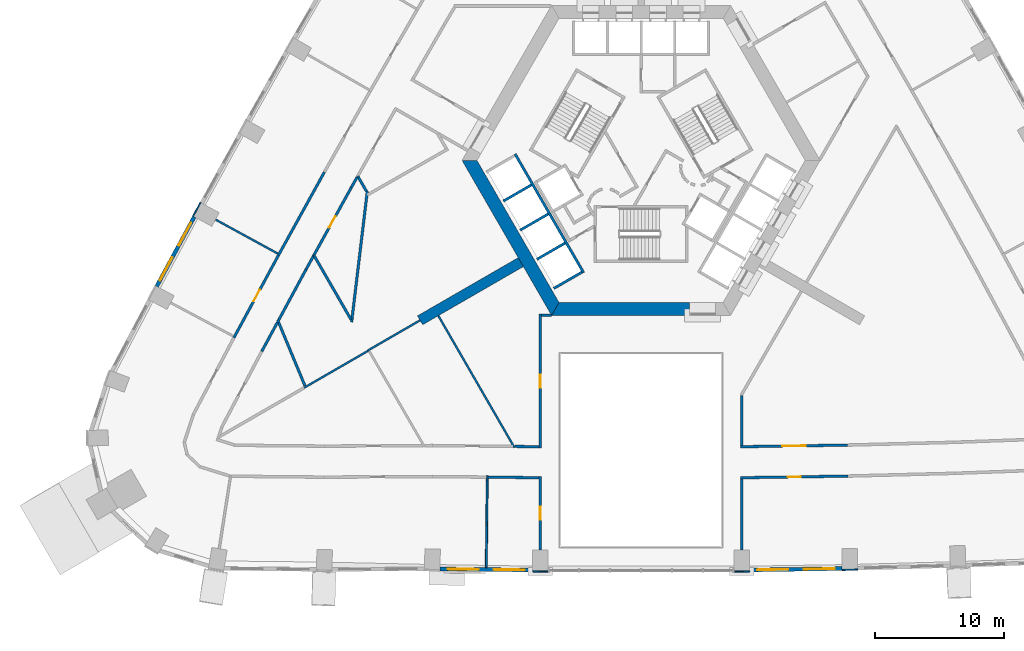
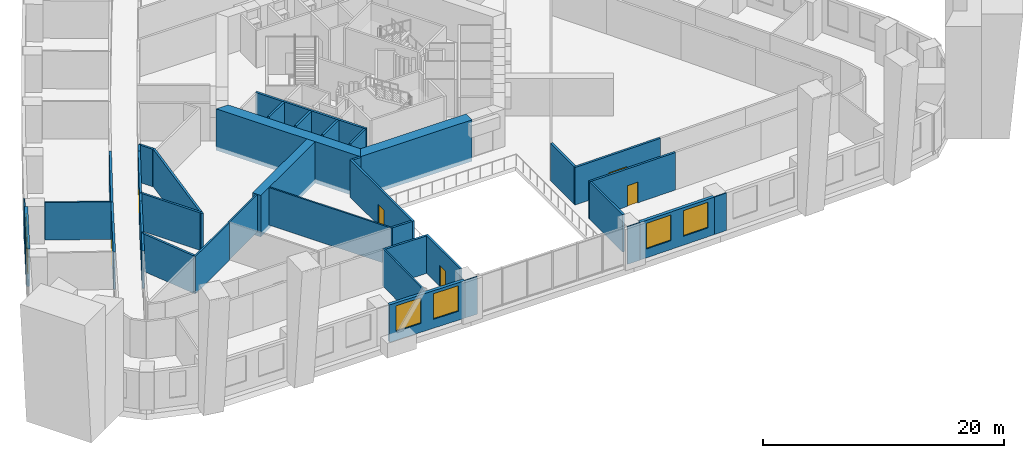
# One storey, part 5 of 16: 40 walls, 6 doors, 6 windows, 12 openings.
"""IFC4 building model written with IfcOpenShell, lengths in metres."""

from ifc_helpers import new_model, si_unit, direction, frame, frame_2d, origin, place, context, subcontext, project, spatial, polyline, rectangle, outline, extrude, material, layer, layer_set, type_object, element, fill, save


model = new_model("IFC4")

# Units and contexts
model_context = context("Model", 3, precision=1e-05, world=origin(), true_north=direction((0.0, 1.0)))
body_context = subcontext(model_context, "Body", "Model", "MODEL_VIEW")
ifc_project = project(units=[si_unit("LENGTHUNIT", "METRE"), si_unit("AREAUNIT", "SQUARE_METRE"), si_unit("VOLUMEUNIT", "CUBIC_METRE"), si_unit("PLANEANGLEUNIT", "RADIAN"), si_unit("MASSUNIT", "GRAM", prefix="KILO")], contexts=[model_context])

# Site, building, storey
site_placement = place(None, origin())
site = spatial("IfcSite", under=ifc_project, at=site_placement, CompositionType="ELEMENT")
building_placement = place(site_placement, origin())
building = spatial("IfcBuilding", under=site, at=building_placement, Name="Entoto Arch Interchange Tower", CompositionType="ELEMENT")
storey_placement = place(building_placement, frame((0.0, 0.0, 60.199951171875)))
storey = spatial("IfcBuildingStorey", under=building, at=storey_placement, Name="L12", CompositionType="ELEMENT", Elevation=60.199951171875)

# Walls
ifc_material_1 = material(Name="Concrete C60/75", Category="concrete")
ifc_layer_1 = layer(ifc_material_1, 0.800048828125)
ifc_layer_set_1 = layer_set([ifc_layer_1], Name="Concrete C60/75")
wall_type_1 = type_object("IfcWallType", Name="Buttress wall 800 C60/75", PredefinedType="SHEAR", material=ifc_layer_set_1)
wall_1_placement = place(storey_placement, frame((-9.31005859375, -5.375, -0.39990234375), z_axis=(0.0, 0.0, 1.0), x_axis=(-0.866017533419, -0.500013631625, 0.0)))
element("IfcWall", 1, at=wall_1_placement, inside=storey, type_object=wall_type_1, Name="Buttress wall SW L12", PredefinedType="SHEAR", context=body_context, shape_type="SweptSolid", body=[
    extrude(rectangle(XDim=8.999755859375, YDim=0.800048828125, at=frame_2d((4.5, 0.0))), origin(), (0.0, 0.0, 1.0), 4.199951171875),
])
ifc_layer_2 = layer(ifc_material_1, 1.0)
ifc_layer_set_2 = layer_set([ifc_layer_2], Name="Concrete C60/75")
wall_type_2 = type_object("IfcWallType", Name="Core wall 1000 C60/75", PredefinedType="SHEAR", material=ifc_layer_set_2)
wall_2_placement = place(storey_placement, frame((0.0, 0.0, -0.39990234375)))
element("IfcWall", 2, at=wall_2_placement, inside=storey, type_object=wall_type_2, Name="Core wall SW L12", PredefinedType="SHEAR", context=body_context, shape_type="SweptSolid", body=[
    extrude(outline(polyline([(-13.85595703125, 2.5), (-6.927978515625, -9.5), (-6.35107421875, -8.5), (-12.701904296875, 2.5), (-13.85595703125, 2.5)])), origin(), (0.0, 0.0, 1.0), 4.199951171875),
])
wall_3_placement = place(storey_placement, frame((0.0, 0.0, -0.39990234375)))
element("IfcWall", 3, at=wall_3_placement, inside=storey, type_object=wall_type_2, Name="Core wall S L12", PredefinedType="SHEAR", context=body_context, shape_type="SweptSolid", body=[
    extrude(outline(polyline([(3.75, -9.5), (3.75, -8.5), (-6.35107421875, -8.5), (-6.927978515625, -9.5), (3.75, -9.5)])), origin(), (0.0, 0.0, 1.0), 4.199951171875),
])
ifc_material_2 = material(Name="Concrete C40/50", Category="concrete")
ifc_layer_3 = layer(ifc_material_2, 0.199951171875)
ifc_layer_set_3 = layer_set([ifc_layer_3], Name="Concrete C40/50")
wall_type_3 = type_object("IfcWallType", Name="LIFT SHAFT WALL 200", PredefinedType="STANDARD", material=ifc_layer_set_3)
wall_4_placement = place(storey_placement, frame((-9.7509765625, 2.989990234375, 0.0), z_axis=(0.0, 0.0, 1.0), x_axis=(0.50000090737, -0.866024879913, 0.0)))
element("IfcWall", 4, at=wall_4_placement, inside=storey, type_object=wall_type_3, Name="Shaft wall SW3 front", PredefinedType="STANDARD", context=body_context, shape_type="SweptSolid", body=[
    extrude(rectangle(XDim=10.60009765625, YDim=0.199951171875, at=frame_2d((5.300048828125, 0.0))), origin(), (0.0, 0.0, 1.0), 3.800048828125),
])
for number, where, z_axis, x_axis, name in (
    (5, (-8.488037109375, 0.60205078125, 0.0), (0.0, 0.0, 1.0), (-0.866022959057, -0.500004234368, 0.0), "Shaft wall SW3 cross 2"),
    (6, (-7.18798828125, -1.64990234375, 0.0), (0.0, 0.0, 1.0), (-0.866022959057, -0.500004234368, 0.0), "Shaft wall SW3 cross 3"),
    (7, (-5.887939453125, -3.902099609375, 0.0), (0.0, 0.0, 1.0), (-0.866022959057, -0.500004234368, 0.0), "Shaft wall SW3 cross 4"),
    (8, (-4.587890625, -6.153076171875, 0.0), (0.0, 0.0, 1.0), (-0.866022959057, -0.500004234368, 0.0), "Shaft wall SW3 cross 5"),
):
    element("IfcWall", number, at=place(storey_placement, frame(where, z_axis=z_axis, x_axis=x_axis)), inside=storey, type_object=wall_type_3, Name=name, PredefinedType="STANDARD", context=body_context, shape_type="SweptSolid", body=[
        extrude(rectangle(XDim=2.5, YDim=0.199951171875, at=frame_2d((1.25, 0.0))), origin(), (0.0, 0.0, 1.0), 3.800048828125),
    ])
ifc_material_3 = material(Name="Gypsum board partition on steel studs", Category="steel")
ifc_layer_4 = layer(ifc_material_3, 0.14990234375)
ifc_layer_set_4 = layer_set([ifc_layer_4], Name="Gypsum board partition on steel studs")
wall_type_4 = type_object("IfcWallType", Name="PARTITION 150", PredefinedType="PARTITIONING", material=ifc_layer_set_4)
wall_5_placement = place(storey_placement, frame((-9.801025390625, -19.72412109375, 0.0), z_axis=(0.0, 0.0, 1.0), x_axis=(-0.500005867738, 0.866022016018, 0.0)))
element("IfcWall", 9, at=wall_5_placement, inside=storey, type_object=wall_type_4, Name="wall:L12:p128", PredefinedType="PARTITIONING", context=body_context, shape_type="SweptSolid", body=[
    extrude(rectangle(XDim=11.781494140625, YDim=0.14990234375, at=frame_2d((5.890625, 0.0))), origin(), (0.0, 0.0, 1.0), 3.800048828125),
])
wall_6_placement = place(storey_placement, frame((-17.10302734375, -9.8779296875, 0.0), z_axis=(0.0, 0.0, 1.0), x_axis=(-0.866013358989, -0.500020861617, 0.0)))
element("IfcWall", 10, at=wall_6_placement, inside=storey, type_object=wall_type_4, Name="wall:L12:p129", PredefinedType="PARTITIONING", context=body_context, shape_type="SweptSolid", body=[
    extrude(rectangle(XDim=4.674072265625, YDim=0.14990234375, at=frame_2d((2.3369140625, 0.0))), origin(), (0.0, 0.0, 1.0), 3.800048828125),
])
wall_7_placement = place(storey_placement, frame((-21.135009765625, -12.242919921875, 0.0), z_axis=(0.0, 0.0, 1.0), x_axis=(-0.866083439347, -0.499899465982, 0.0)))
element("IfcWall", 11, at=wall_7_placement, inside=storey, type_object=wall_type_4, Name="wall:L12:p131", PredefinedType="PARTITIONING", context=body_context, shape_type="SweptSolid", body=[
    extrude(rectangle(XDim=5.691162109375, YDim=0.14990234375, at=frame_2d((2.845703125, 0.0))), origin(), (0.0, 0.0, 1.0), 3.800048828125),
])
wall_8_placement = place(storey_placement, frame((-28.111083984375, -4.717041015625, 0.0), z_axis=(0.0, 0.0, 1.0), x_axis=(-0.877558297547, 0.479469951515, 0.0)))
element("IfcWall", 12, at=wall_8_placement, inside=storey, type_object=wall_type_4, Name="wall:L12:p147", PredefinedType="PARTITIONING", context=body_context, shape_type="SweptSolid", body=[
    extrude(rectangle(XDim=5.48095703125, YDim=0.14990234375, at=frame_2d((2.740478515625, 0.0))), origin(), (0.0, 0.0, 1.0), 3.800048828125),
])
wall_9_placement = place(storey_placement, frame((-11.903076171875, -21.9150390625, 0.0), z_axis=(0.0, 0.0, 1.0), x_axis=(-0.011106223261, -0.999938324, 0.0)))
element("IfcWall", 13, at=wall_9_placement, inside=storey, type_object=wall_type_4, Name="wall:L12:p150", PredefinedType="PARTITIONING", context=body_context, shape_type="SweptSolid", body=[
    extrude(rectangle(XDim=7.100341796875, YDim=0.14990234375, at=frame_2d((3.55029296875, 0.0))), origin(), (0.0, 0.0, 1.0), 3.800048828125),
])

# Wall, opening, door
ifc_layer_5 = layer(ifc_material_3, 0.199951171875)
ifc_layer_set_5 = layer_set([ifc_layer_5], Name="Gypsum board partition on steel studs")
wall_type_5 = type_object("IfcWallType", Name="PARTITION 200", PredefinedType="PARTITIONING", material=ifc_layer_set_5)
wall_10_placement = place(storey_placement, frame((7.699951171875, -19.660888671875, 0.0), z_axis=(0.0, 0.0, 1.0), x_axis=(0.999882138464, 0.015352823245, 0.0)))
wall_10 = element("IfcWall", 14, at=wall_10_placement, inside=storey, type_object=wall_type_5, Name="wall:L12:p018", PredefinedType="PARTITIONING", context=body_context, shape_type="SweptSolid", body=[
    extrude(rectangle(XDim=8.26904296875, YDim=0.199951171875, at=frame_2d((4.134521484375, 0.0))), origin(), (0.0, 0.0, 1.0), 3.800048828125),
])
opening_1_placement = place(wall_10_placement, frame((3.235107421875, 0.0, 0.0)))
opening_1 = element("IfcOpeningElement", 15, at=opening_1_placement, cuts=wall_10, Name="Opening L12-D19", PredefinedType="OPENING", context=body_context, shape_type="SweptSolid", body=[
    extrude(rectangle(XDim=1.800048828125, YDim=2.10009765625, at=frame_2d((0.89990234375, 1.050048828125))), frame((0.0, 0.10986328125, 0.0), z_axis=(0.0, -1.0, 0.0), x_axis=(1.0, 0.0, 0.0)), (0.0, 0.0, 1.0), 0.219970703125),
])
ifc_material_4 = material(Name="Timber door leaf in Steel S235 frame", Category="steel")
door_type_1 = type_object("IfcDoorType", Name="DOOR DD-18 1800x2100", OperationType="DOUBLE_DOOR_SINGLE_SWING", PredefinedType="DOOR", material=ifc_material_4)
door_1_placement = place(opening_1_placement, origin())
door_1 = element("IfcDoor", 16, at=door_1_placement, inside=storey, type_object=door_type_1, Name="door:L12:19", OperationType="DOUBLE_DOOR_SINGLE_SWING", OverallHeight=2.10009765625, OverallWidth=1.800048828125, PredefinedType="DOOR", context=body_context, shape_type="SweptSolid", body=[
    extrude(rectangle(XDim=1.800048828125, YDim=2.10009765625, at=frame_2d((0.89990234375, 1.050048828125))), frame((0.0, 0.02490234375, 0.0), z_axis=(0.0, -1.0, 0.0), x_axis=(1.0, 0.0, 0.0)), (0.0, 0.0, 1.0), 0.050048828125),
])
fill(opening_1, door_1)

# Walls
wall_11_placement = place(storey_placement, frame((-25.37109375, -4.927001953125, 0.0), z_axis=(0.0, 0.0, 1.0), x_axis=(-0.483899488004, -0.875123582993, 0.0)))
element("IfcWall", 17, at=wall_11_placement, inside=storey, type_object=wall_type_5, Name="wall:L12:p030", PredefinedType="PARTITIONING", context=body_context, shape_type="SweptSolid", body=[
    extrude(rectangle(XDim=1.130126953125, YDim=0.199951171875, at=frame_2d((0.56494140625, 0.0))), origin(), (0.0, 0.0, 1.0), 3.800048828125),
])
wall_12_placement = place(storey_placement, frame((-25.91796875, -5.916015625, 0.0), z_axis=(0.0, 0.0, 1.0), x_axis=(-0.4752384902, -0.879857021016, 0.0)))
element("IfcWall", 18, at=wall_12_placement, inside=storey, type_object=wall_type_5, Name="wall:L12:p031", PredefinedType="PARTITIONING", context=body_context, shape_type="SweptSolid", body=[
    extrude(rectangle(XDim=4.473388671875, YDim=0.199951171875, at=frame_2d((2.23681640625, 0.0))), origin(), (0.0, 0.0, 1.0), 3.800048828125),
])
wall_13_placement = place(storey_placement, frame((-9.77587890625, -19.637939453125, 0.0), z_axis=(0.0, 0.0, 1.0), x_axis=(0.999937374473, -0.011191386544, 0.0)))
element("IfcWall", 19, at=wall_13_placement, inside=storey, type_object=wall_type_5, Name="wall:L12:p032", PredefinedType="PARTITIONING", context=body_context, shape_type="SweptSolid", body=[
    extrude(rectangle(XDim=1.8759765625, YDim=0.199951171875, at=frame_2d((0.93798828125, 0.0))), origin(), (0.0, 0.0, 1.0), 3.800048828125),
])
wall_14_placement = place(storey_placement, frame((-21.97900390625, 1.196044921875, 0.0), z_axis=(0.0, 0.0, 1.0), x_axis=(-0.491617674369, -0.870811151886, 0.0)))
element("IfcWall", 20, at=wall_14_placement, inside=storey, type_object=wall_type_5, Name="wall:L12:p033", PredefinedType="PARTITIONING", context=body_context, shape_type="SweptSolid", body=[
    extrude(rectangle(XDim=0.89697265625, YDim=0.199951171875, at=frame_2d((0.448486328125, 0.0))), origin(), (0.0, 0.0, 1.0), 3.800048828125),
])

# Wall, opening, door
wall_15_placement = place(storey_placement, frame((-22.419921875, 0.4150390625, 0.0), z_axis=(0.0, 0.0, 1.0), x_axis=(-0.483559496818, -0.875311494861, 0.0)))
wall_15 = element("IfcWall", 21, at=wall_15_placement, inside=storey, type_object=wall_type_5, Name="wall:L12:p034", PredefinedType="PARTITIONING", context=body_context, shape_type="SweptSolid", body=[
    extrude(rectangle(XDim=6.10302734375, YDim=0.199951171875, at=frame_2d((3.051513671875, 0.0))), origin(), (0.0, 0.0, 1.0), 3.800048828125),
])
opening_2_placement = place(wall_15_placement, frame((2.552001953125, 0.0, 0.0)))
opening_2 = element("IfcOpeningElement", 22, at=opening_2_placement, cuts=wall_15, Name="Opening L12-D23", PredefinedType="OPENING", context=body_context, shape_type="SweptSolid", body=[
    extrude(rectangle(XDim=1.0, YDim=2.10009765625, at=frame_2d((0.5, 1.050048828125))), frame((0.0, 0.10986328125, 0.0), z_axis=(0.0, -1.0, 0.0), x_axis=(1.0, 0.0, 0.0)), (0.0, 0.0, 1.0), 0.219970703125),
])
door_type_2 = type_object("IfcDoorType", Name="DOOR DS-10 1000x2100", OperationType="SINGLE_SWING_LEFT", PredefinedType="DOOR", material=ifc_material_4)
door_2_placement = place(opening_2_placement, origin())
door_2 = element("IfcDoor", 23, at=door_2_placement, inside=storey, type_object=door_type_2, Name="door:L12:23", OperationType="SINGLE_SWING_LEFT", OverallHeight=2.10009765625, OverallWidth=1.0, PredefinedType="DOOR", context=body_context, shape_type="SweptSolid", body=[
    extrude(rectangle(XDim=1.0, YDim=2.10009765625, at=frame_2d((0.5, 1.050048828125))), frame((0.0, 0.02490234375, 0.0), z_axis=(0.0, -1.0, 0.0), x_axis=(1.0, 0.0, 0.0)), (0.0, 0.0, 1.0), 0.050048828125),
])
fill(opening_2, door_2)

# Wall
wall_16_placement = place(storey_placement, frame((-28.138916015625, -10.028076171875, 0.0), z_axis=(0.0, 0.0, 1.0), x_axis=(-0.475287687013, -0.879830446491, 0.0)))
element("IfcWall", 24, at=wall_16_placement, inside=storey, type_object=wall_type_5, Name="wall:L12:p037", PredefinedType="PARTITIONING", context=body_context, shape_type="SweptSolid", body=[
    extrude(rectangle(XDim=2.560546875, YDim=0.199951171875, at=frame_2d((1.2802734375, 0.0))), origin(), (0.0, 0.0, 1.0), 3.800048828125),
])

# Wall, opening, door
wall_17_placement = place(storey_placement, frame((16.01806640625, -21.93310546875, 0.0), z_axis=(0.0, 0.0, 1.0), x_axis=(-0.999879942341, -0.015495189738, 0.0)))
wall_17 = element("IfcWall", 25, at=wall_17_placement, inside=storey, type_object=wall_type_5, Name="wall:L12:p045", PredefinedType="PARTITIONING", context=body_context, shape_type="SweptSolid", body=[
    extrude(rectangle(XDim=8.319091796875, YDim=0.199951171875, at=frame_2d((4.15966796875, 0.0))), origin(), (0.0, 0.0, 1.0), 3.800048828125),
])
opening_3_placement = place(wall_17_placement, frame((3.659912109375, 0.0, 0.0)))
opening_3 = element("IfcOpeningElement", 26, at=opening_3_placement, cuts=wall_17, Name="Opening L12-D01", PredefinedType="OPENING", context=body_context, shape_type="SweptSolid", body=[
    extrude(rectangle(XDim=1.0, YDim=2.10009765625, at=frame_2d((0.5, 1.050048828125))), frame((0.0, 0.10986328125, 0.0), z_axis=(0.0, -1.0, 0.0), x_axis=(1.0, 0.0, 0.0)), (0.0, 0.0, 1.0), 0.219970703125),
])
door_3_placement = place(opening_3_placement, origin())
door_3 = element("IfcDoor", 27, at=door_3_placement, inside=storey, type_object=door_type_2, Name="door:L12:01", OperationType="SINGLE_SWING_LEFT", OverallHeight=2.10009765625, OverallWidth=1.0, PredefinedType="DOOR", context=body_context, shape_type="SweptSolid", body=[
    extrude(rectangle(XDim=1.0, YDim=2.10009765625, at=frame_2d((0.5, 1.050048828125))), frame((0.0, 0.02490234375, 0.0), z_axis=(0.0, -1.0, 0.0), x_axis=(1.0, 0.0, 0.0)), (0.0, 0.0, 1.0), 0.050048828125),
])
fill(opening_3, door_3)

# Wall
wall_18_placement = place(storey_placement, frame((-28.06005859375, -4.8310546875, 0.0), z_axis=(0.0, 0.0, 1.0), x_axis=(0.483631054848, 0.875271959328, 0.0)))
element("IfcWall", 28, at=wall_18_placement, inside=storey, type_object=wall_type_5, Name="wall:L12:p071", PredefinedType="PARTITIONING", context=body_context, shape_type="SweptSolid", body=[
    extrude(rectangle(XDim=7.330322265625, YDim=0.199951171875, at=frame_2d((3.6650390625, 0.0))), origin(), (0.0, 0.0, 1.0), 3.800048828125),
])

# Wall, opening, door
wall_19_placement = place(storey_placement, frame((-31.509033203125, -11.216064453125, 0.0), z_axis=(0.0, 0.0, 1.0), x_axis=(0.475367159168, 0.879787510701, 0.0)))
wall_19 = element("IfcWall", 29, at=wall_19_placement, inside=storey, type_object=wall_type_5, Name="wall:L12:p073", PredefinedType="PARTITIONING", context=body_context, shape_type="SweptSolid", body=[
    extrude(rectangle(XDim=7.25732421875, YDim=0.199951171875, at=frame_2d((3.628662109375, 0.0))), origin(), (0.0, 0.0, 1.0), 3.800048828125),
])
opening_4_placement = place(wall_19_placement, frame((3.202880859375, 0.0, 0.0)))
opening_4 = element("IfcOpeningElement", 30, at=opening_4_placement, cuts=wall_19, Name="Opening L12-D15", PredefinedType="OPENING", context=body_context, shape_type="SweptSolid", body=[
    extrude(rectangle(XDim=1.0, YDim=2.10009765625, at=frame_2d((0.5, 1.050048828125))), frame((0.0, 0.10986328125, 0.0), z_axis=(0.0, -1.0, 0.0), x_axis=(1.0, 0.0, 0.0)), (0.0, 0.0, 1.0), 0.219970703125),
])
door_4_placement = place(opening_4_placement, origin())
door_4 = element("IfcDoor", 31, at=door_4_placement, inside=storey, type_object=door_type_2, Name="door:L12:15", OperationType="SINGLE_SWING_RIGHT", OverallHeight=2.10009765625, OverallWidth=1.0, PredefinedType="DOOR", context=body_context, shape_type="SweptSolid", body=[
    extrude(rectangle(XDim=1.0, YDim=2.10009765625, at=frame_2d((0.5, 1.050048828125))), frame((0.0, 0.02490234375, 0.0), z_axis=(0.0, -1.0, 0.0), x_axis=(1.0, 0.0, 0.0)), (0.0, 0.0, 1.0), 0.050048828125),
])
fill(opening_4, door_4)

# Walls
wall_20_placement = place(storey_placement, frame((-7.89990234375, -22.05908203125, 0.0), z_axis=(0.0, 0.0, 1.0), x_axis=(-0.999940210022, 0.010935098606, 0.0)))
element("IfcWall", 32, at=wall_20_placement, inside=storey, type_object=wall_type_5, Name="wall:L12:p082", PredefinedType="PARTITIONING", context=body_context, shape_type="SweptSolid", body=[
    extrude(rectangle(XDim=3.929443359375, YDim=0.199951171875, at=frame_2d((1.96484375, 0.0))), origin(), (0.0, 0.0, 1.0), 3.800048828125),
])
wall_21_placement = place(storey_placement, frame((7.800048828125, -15.68994140625, 0.0), z_axis=(0.0, 0.0, 1.0), x_axis=(0.0, -1.0, 0.0)))
element("IfcWall", 33, at=wall_21_placement, inside=storey, type_object=wall_type_5, Name="wall:L12:p116", PredefinedType="PARTITIONING", context=body_context, shape_type="SweptSolid", body=[
    extrude(rectangle(XDim=3.8701171875, YDim=0.199951171875, at=frame_2d((1.93505859375, 0.0))), origin(), (0.0, 0.0, 1.0), 3.800048828125),
])

# Wall, opening, door
wall_22_placement = place(storey_placement, frame((-7.800048828125, -19.760009765625, 0.0), z_axis=(0.0, 0.0, 1.0), x_axis=(0.0, 1.0, 0.0)))
wall_22 = element("IfcWall", 34, at=wall_22_placement, inside=storey, type_object=wall_type_5, Name="wall:L12:p117", PredefinedType="PARTITIONING", context=body_context, shape_type="SweptSolid", body=[
    extrude(rectangle(XDim=10.361083984375, YDim=0.199951171875, at=frame_2d((5.1806640625, 0.0))), origin(), (0.0, 0.0, 1.0), 3.800048828125),
])
opening_5_placement = place(wall_22_placement, frame((4.680908203125, 0.0, 0.0)))
opening_5 = element("IfcOpeningElement", 35, at=opening_5_placement, cuts=wall_22, Name="Opening L12-D22", PredefinedType="OPENING", context=body_context, shape_type="SweptSolid", body=[
    extrude(rectangle(XDim=1.0, YDim=2.10009765625, at=frame_2d((0.5, 1.050048828125))), frame((0.0, 0.10986328125, 0.0), z_axis=(0.0, -1.0, 0.0), x_axis=(1.0, 0.0, 0.0)), (0.0, 0.0, 1.0), 0.219970703125),
])
door_5_placement = place(opening_5_placement, origin())
door_5 = element("IfcDoor", 36, at=door_5_placement, inside=storey, type_object=door_type_2, Name="door:L12:22", OperationType="SINGLE_SWING_LEFT", OverallHeight=2.10009765625, OverallWidth=1.0, PredefinedType="DOOR", context=body_context, shape_type="SweptSolid", body=[
    extrude(rectangle(XDim=1.0, YDim=2.10009765625, at=frame_2d((0.5, 1.050048828125))), frame((0.0, 0.02490234375, 0.0), z_axis=(0.0, -1.0, 0.0), x_axis=(1.0, 0.0, 0.0)), (0.0, 0.0, 1.0), 0.050048828125),
])
fill(opening_5, door_5)

# Walls
wall_23_placement = place(storey_placement, frame((-7.699951171875, -9.4990234375, 0.0), z_axis=(0.0, 0.0, 1.0), x_axis=(1.0, 0.0, 0.0)))
element("IfcWall", 37, at=wall_23_placement, inside=storey, type_object=wall_type_5, Name="wall:L12:p118", PredefinedType="PARTITIONING", context=body_context, shape_type="SweptSolid", body=[
    extrude(rectangle(XDim=0.77099609375, YDim=0.199951171875, at=frame_2d((0.385498046875, 0.0))), origin(), (0.0, 0.0, 1.0), 3.800048828125),
])
wall_24_placement = place(storey_placement, frame((7.800048828125, -22.159912109375, 0.0), z_axis=(0.0, 0.0, 1.0), x_axis=(0.0, -1.0, 0.0)))
element("IfcWall", 38, at=wall_24_placement, inside=storey, type_object=wall_type_5, Name="wall:L12:p119", PredefinedType="PARTITIONING", context=body_context, shape_type="SweptSolid", body=[
    extrude(rectangle(XDim=5.481201171875, YDim=0.199951171875, at=frame_2d((2.74072265625, 0.0))), origin(), (0.0, 0.0, 1.0), 3.800048828125),
])

# Wall, opening, door
wall_25_placement = place(storey_placement, frame((-7.800048828125, -27.64111328125, 0.0), z_axis=(0.0, 0.0, 1.0), x_axis=(0.0, 1.0, 0.0)))
wall_25 = element("IfcWall", 39, at=wall_25_placement, inside=storey, type_object=wall_type_5, Name="wall:L12:p120", PredefinedType="PARTITIONING", context=body_context, shape_type="SweptSolid", body=[
    extrude(rectangle(XDim=5.68115234375, YDim=0.199951171875, at=frame_2d((2.840576171875, 0.0))), origin(), (0.0, 0.0, 1.0), 3.800048828125),
])
opening_6_placement = place(wall_25_placement, frame((2.340087890625, 0.0, 0.0)))
opening_6 = element("IfcOpeningElement", 40, at=opening_6_placement, cuts=wall_25, Name="Opening L12-D18", PredefinedType="OPENING", context=body_context, shape_type="SweptSolid", body=[
    extrude(rectangle(XDim=1.0, YDim=2.10009765625, at=frame_2d((0.5, 1.050048828125))), frame((0.0, 0.10986328125, 0.0), z_axis=(0.0, -1.0, 0.0), x_axis=(1.0, 0.0, 0.0)), (0.0, 0.0, 1.0), 0.219970703125),
])
door_6_placement = place(opening_6_placement, origin())
door_6 = element("IfcDoor", 41, at=door_6_placement, inside=storey, type_object=door_type_2, Name="door:L12:18", OperationType="SINGLE_SWING_LEFT", OverallHeight=2.10009765625, OverallWidth=1.0, PredefinedType="DOOR", context=body_context, shape_type="SweptSolid", body=[
    extrude(rectangle(XDim=1.0, YDim=2.10009765625, at=frame_2d((0.5, 1.050048828125))), frame((0.0, 0.02490234375, 0.0), z_axis=(0.0, -1.0, 0.0), x_axis=(1.0, 0.0, 0.0)), (0.0, 0.0, 1.0), 0.050048828125),
])
fill(opening_6, door_6)

# Walls
wall_26_placement = place(storey_placement, frame((-21.2490234375, 0.10498046875, 0.0), z_axis=(0.0, 0.0, 1.0), x_axis=(-0.500442009317, 0.865770059144, 0.0)))
element("IfcWall", 42, at=wall_26_placement, inside=storey, type_object=wall_type_5, Name="wall:L12:p125", PredefinedType="PARTITIONING", context=body_context, shape_type="SweptSolid", body=[
    extrude(rectangle(XDim=1.360595703125, YDim=0.199951171875, at=frame_2d((0.68017578125, 0.0))), origin(), (0.0, 0.0, 1.0), 3.800048828125),
])
wall_27_placement = place(storey_placement, frame((-25.322998046875, -4.840087890625, 0.0), z_axis=(0.0, 0.0, 1.0), x_axis=(0.500070797646, -0.865984524886, 0.0)))
element("IfcWall", 43, at=wall_27_placement, inside=storey, type_object=wall_type_5, Name="wall:L12:p126", PredefinedType="PARTITIONING", context=body_context, shape_type="SweptSolid", body=[
    extrude(rectangle(XDim=5.763427734375, YDim=0.199951171875, at=frame_2d((2.8818359375, 0.0))), origin(), (0.0, 0.0, 1.0), 3.800048828125),
])
wall_28_placement = place(storey_placement, frame((-22.403076171875, -10.01708984375, 0.0), z_axis=(0.0, 0.0, 1.0), x_axis=(0.119143334217, 0.992877064853, 0.0)))
element("IfcWall", 44, at=wall_28_placement, inside=storey, type_object=wall_type_5, Name="wall:L12:p127", PredefinedType="PARTITIONING", context=body_context, shape_type="SweptSolid", body=[
    extrude(rectangle(XDim=10.206787109375, YDim=0.199951171875, at=frame_2d((5.103515625, 0.0))), origin(), (0.0, 0.0, 1.0), 3.800048828125),
])
wall_29_placement = place(storey_placement, frame((-26.014892578125, -14.946044921875, 0.0), z_axis=(0.0, 0.0, 1.0), x_axis=(-0.383189005855, 0.923669955012, 0.0)))
element("IfcWall", 45, at=wall_29_placement, inside=storey, type_object=wall_type_5, Name="wall:L12:p130", PredefinedType="PARTITIONING", context=body_context, shape_type="SweptSolid", body=[
    extrude(rectangle(XDim=5.51953125, YDim=0.199951171875, at=frame_2d((2.759765625, 0.0))), origin(), (0.0, 0.0, 1.0), 3.800048828125),
])

# Wall, openings, windows
ifc_material_5 = material(Name="Welded tuff (ignimbrite) cladding, warm buff", Category="masonry")
ifc_layer_6 = layer(ifc_material_5, 0.300048828125)
ifc_layer_set_6 = layer_set([ifc_layer_6], Name="Welded tuff (ignimbrite) cladding, warm buff")
wall_type_6 = type_object("IfcWallType", Name="STONE INFILL WALL 300", PredefinedType="STANDARD", material=ifc_layer_set_6)
wall_30_placement = place(storey_placement, frame((-15.568115234375, -29.125, 0.0), z_axis=(0.0, 0.0, 1.0), x_axis=(0.999939152594, -0.011031369316, 0.0)))
wall_30 = element("IfcWall", 46, at=wall_30_placement, inside=storey, type_object=wall_type_6, Name="Facade wall S-03 L12", PredefinedType="STANDARD", context=body_context, shape_type="SweptSolid", body=[
    extrude(rectangle(XDim=7.170654296875, YDim=0.300048828125, at=frame_2d((3.58544921875, 0.0))), origin(), (0.0, 0.0, 1.0), 3.800048828125),
])
opening_7_placement = place(wall_30_placement, frame((0.593017578125, 0.0, 0.89990234375)))
opening_7 = element("IfcOpeningElement", 47, at=opening_7_placement, cuts=wall_30, Name="Opening WO-A", PredefinedType="OPENING", context=body_context, shape_type="SweptSolid", body=[
    extrude(rectangle(XDim=2.39990234375, YDim=2.60009765625, at=frame_2d((1.199951171875, 1.300048828125))), frame((0.0, 0.16015625, 0.0), z_axis=(0.0, -1.0, 0.0), x_axis=(1.0, 0.0, 0.0)), (0.0, 0.0, 1.0), 0.320068359375),
])
opening_8_placement = place(wall_30_placement, frame((4.177978515625, 0.0, 0.89990234375)))
opening_8 = element("IfcOpeningElement", 48, at=opening_8_placement, cuts=wall_30, Name="Opening WO-A", PredefinedType="OPENING", context=body_context, shape_type="SweptSolid", body=[
    extrude(rectangle(XDim=2.39990234375, YDim=2.60009765625, at=frame_2d((1.199951171875, 1.300048828125))), frame((0.0, 0.16015625, 0.0), z_axis=(0.0, -1.0, 0.0), x_axis=(1.0, 0.0, 0.0)), (0.0, 0.0, 1.0), 0.320068359375),
])
ifc_material_6 = material(Name="Clear glass, low-e double glazed", Category="glass")
window_type_1 = type_object("IfcWindowType", Name="WINDOW WO-A 2400x2600", PartitioningType="DOUBLE_PANEL_VERTICAL", PredefinedType="WINDOW", material=ifc_material_6)
window_1_placement = place(opening_7_placement, origin())
window_1 = element("IfcWindow", 49, at=window_1_placement, inside=storey, type_object=window_type_1, Name="Window WO-A S-03 L12", OverallHeight=2.60009765625, OverallWidth=2.39990234375, PartitioningType="SINGLE_PANEL", PredefinedType="WINDOW", context=body_context, shape_type="SweptSolid", body=[
    extrude(rectangle(XDim=2.39990234375, YDim=2.60009765625, at=frame_2d((1.199951171875, 1.300048828125))), frame((0.0, 0.030029296875, 0.0), z_axis=(0.0, -1.0, 0.0), x_axis=(1.0, 0.0, 0.0)), (0.0, 0.0, 1.0), 0.06005859375),
])
fill(opening_7, window_1)
window_2_placement = place(opening_8_placement, origin())
window_2 = element("IfcWindow", 50, at=window_2_placement, inside=storey, type_object=window_type_1, Name="Window WO-A S-03 L12", OverallHeight=2.60009765625, OverallWidth=2.39990234375, PartitioningType="SINGLE_PANEL", PredefinedType="WINDOW", context=body_context, shape_type="SweptSolid", body=[
    extrude(rectangle(XDim=2.39990234375, YDim=2.60009765625, at=frame_2d((1.199951171875, 1.300048828125))), frame((0.0, 0.030029296875, 0.0), z_axis=(0.0, -1.0, 0.0), x_axis=(1.0, 0.0, 0.0)), (0.0, 0.0, 1.0), 0.06005859375),
])
fill(opening_8, window_2)

wall_31_placement = place(storey_placement, frame((8.39794921875, -29.201904296875, 0.0), z_axis=(0.0, 0.0, 1.0), x_axis=(0.99988053916, 0.015456629942, 0.0)))
wall_31 = element("IfcWall", 51, at=wall_31_placement, inside=storey, type_object=wall_type_6, Name="Facade wall S-05 L12", PredefinedType="STANDARD", context=body_context, shape_type="SweptSolid", body=[
    extrude(rectangle(XDim=7.171142578125, YDim=0.300048828125, at=frame_2d((3.58544921875, 0.0))), origin(), (0.0, 0.0, 1.0), 3.800048828125),
])
opening_9_placement = place(wall_31_placement, frame((0.593017578125, 0.0, 0.89990234375)))
opening_9 = element("IfcOpeningElement", 52, at=opening_9_placement, cuts=wall_31, Name="Opening WO-A", PredefinedType="OPENING", context=body_context, shape_type="SweptSolid", body=[
    extrude(rectangle(XDim=2.39990234375, YDim=2.60009765625, at=frame_2d((1.199951171875, 1.300048828125))), frame((0.0, 0.16015625, 0.0), z_axis=(0.0, -1.0, 0.0), x_axis=(1.0, 0.0, 0.0)), (0.0, 0.0, 1.0), 0.320068359375),
])
opening_10_placement = place(wall_31_placement, frame((4.177978515625, 0.0, 0.89990234375)))
opening_10 = element("IfcOpeningElement", 53, at=opening_10_placement, cuts=wall_31, Name="Opening WO-A", PredefinedType="OPENING", context=body_context, shape_type="SweptSolid", body=[
    extrude(rectangle(XDim=2.39990234375, YDim=2.60009765625, at=frame_2d((1.199951171875, 1.300048828125))), frame((0.0, 0.16015625, 0.0), z_axis=(0.0, -1.0, 0.0), x_axis=(1.0, 0.0, 0.0)), (0.0, 0.0, 1.0), 0.320068359375),
])
window_3_placement = place(opening_9_placement, origin())
window_3 = element("IfcWindow", 54, at=window_3_placement, inside=storey, type_object=window_type_1, Name="Window WO-A S-05 L12", OverallHeight=2.60009765625, OverallWidth=2.39990234375, PartitioningType="SINGLE_PANEL", PredefinedType="WINDOW", context=body_context, shape_type="SweptSolid", body=[
    extrude(rectangle(XDim=2.39990234375, YDim=2.60009765625, at=frame_2d((1.199951171875, 1.300048828125))), frame((0.0, 0.030029296875, 0.0), z_axis=(0.0, -1.0, 0.0), x_axis=(1.0, 0.0, 0.0)), (0.0, 0.0, 1.0), 0.06005859375),
])
fill(opening_9, window_3)
window_4_placement = place(opening_10_placement, origin())
window_4 = element("IfcWindow", 55, at=window_4_placement, inside=storey, type_object=window_type_1, Name="Window WO-A S-05 L12", OverallHeight=2.60009765625, OverallWidth=2.39990234375, PartitioningType="SINGLE_PANEL", PredefinedType="WINDOW", context=body_context, shape_type="SweptSolid", body=[
    extrude(rectangle(XDim=2.39990234375, YDim=2.60009765625, at=frame_2d((1.199951171875, 1.300048828125))), frame((0.0, 0.030029296875, 0.0), z_axis=(0.0, -1.0, 0.0), x_axis=(1.0, 0.0, 0.0)), (0.0, 0.0, 1.0), 0.06005859375),
])
fill(opening_10, window_4)

wall_32_placement = place(storey_placement, frame((-34.5830078125, -1.864013671875, 0.0), z_axis=(0.0, 0.0, 1.0), x_axis=(-0.475413659872, -0.879762383833, 0.0)))
wall_32 = element("IfcWall", 56, at=wall_32_placement, inside=storey, type_object=wall_type_6, Name="Facade wall NW-08 L12", PredefinedType="STANDARD", context=body_context, shape_type="SweptSolid", body=[
    extrude(rectangle(XDim=6.12548828125, YDim=0.300048828125, at=frame_2d((3.062744140625, 0.0))), origin(), (0.0, 0.0, 1.0), 3.800048828125),
])
opening_11_placement = place(wall_32_placement, frame((0.531005859375, 0.0, 0.89990234375)))
opening_11 = element("IfcOpeningElement", 57, at=opening_11_placement, cuts=wall_32, Name="Opening WO-C", PredefinedType="OPENING", context=body_context, shape_type="SweptSolid", body=[
    extrude(rectangle(XDim=2.0, YDim=2.60009765625, at=frame_2d((1.0, 1.300048828125))), frame((0.0, 0.16015625, 0.0), z_axis=(0.0, -1.0, 0.0), x_axis=(1.0, 0.0, 0.0)), (0.0, 0.0, 1.0), 0.320068359375),
])
opening_12_placement = place(wall_32_placement, frame((3.593994140625, 0.0, 0.89990234375)))
opening_12 = element("IfcOpeningElement", 58, at=opening_12_placement, cuts=wall_32, Name="Opening WO-C", PredefinedType="OPENING", context=body_context, shape_type="SweptSolid", body=[
    extrude(rectangle(XDim=2.0, YDim=2.60009765625, at=frame_2d((1.0, 1.300048828125))), frame((0.0, 0.16015625, 0.0), z_axis=(0.0, -1.0, 0.0), x_axis=(1.0, 0.0, 0.0)), (0.0, 0.0, 1.0), 0.320068359375),
])
window_type_2 = type_object("IfcWindowType", Name="WINDOW WO-C 2000x2600", PartitioningType="DOUBLE_PANEL_VERTICAL", PredefinedType="WINDOW", material=ifc_material_6)
window_5_placement = place(opening_11_placement, origin())
window_5 = element("IfcWindow", 59, at=window_5_placement, inside=storey, type_object=window_type_2, Name="Window WO-C NW-08 L12", OverallHeight=2.60009765625, OverallWidth=2.0, PartitioningType="SINGLE_PANEL", PredefinedType="WINDOW", context=body_context, shape_type="SweptSolid", body=[
    extrude(rectangle(XDim=2.0, YDim=2.60009765625, at=frame_2d((1.0, 1.300048828125))), frame((0.0, 0.030029296875, 0.0), z_axis=(0.0, -1.0, 0.0), x_axis=(1.0, 0.0, 0.0)), (0.0, 0.0, 1.0), 0.06005859375),
])
fill(opening_11, window_5)
window_6_placement = place(opening_12_placement, origin())
window_6 = element("IfcWindow", 60, at=window_6_placement, inside=storey, type_object=window_type_2, Name="Window WO-C NW-08 L12", OverallHeight=2.60009765625, OverallWidth=2.0, PartitioningType="SINGLE_PANEL", PredefinedType="WINDOW", context=body_context, shape_type="SweptSolid", body=[
    extrude(rectangle(XDim=2.0, YDim=2.60009765625, at=frame_2d((1.0, 1.300048828125))), frame((0.0, 0.030029296875, 0.0), z_axis=(0.0, -1.0, 0.0), x_axis=(1.0, 0.0, 0.0)), (0.0, 0.0, 1.0), 0.06005859375),
])
fill(opening_12, window_6)

# Walls
ifc_layer_7 = layer(ifc_material_5, 0.10009765625)
ifc_layer_set_7 = layer_set([ifc_layer_7], Name="Welded tuff (ignimbrite) cladding, warm buff")
wall_type_7 = type_object("IfcWallType", Name="STONE PIER CLADDING 100", PredefinedType="STANDARD", material=ifc_layer_set_7)
wall_33_placement = place(storey_placement, frame((-34.09912109375, -0.761962890625, 0.0), z_axis=(0.0, 0.0, 1.0), x_axis=(-0.478267644701, -0.878214131082, 0.0)))
element("IfcWall", 61, at=wall_33_placement, inside=storey, type_object=wall_type_7, Name="Stone pier NW08 L12", PredefinedType="STANDARD", context=body_context, shape_type="SweptSolid", body=[
    extrude(rectangle(XDim=1.2001953125, YDim=0.10009765625, at=frame_2d((0.60009765625, 0.0))), origin(), (0.0, 0.0, 1.0), 3.800048828125),
])
for number, where, z_axis, x_axis, name in (
    (62, (-8.39990234375, -29.305908203125, 0.0), (0.0, 0.0, 1.0), (0.999965208912, -0.008341520563, 0.0), "Stone pier S04 L12"),
    (63, (7.199951171875, -29.31591796875, 0.0), (0.0, 0.0, 1.0), (0.999965208912, 0.008341520563, 0.0), "Stone pier S05 L12"),
):
    element("IfcWall", number, at=place(storey_placement, frame(where, z_axis=z_axis, x_axis=x_axis)), inside=storey, type_object=wall_type_7, Name=name, PredefinedType="STANDARD", context=body_context, shape_type="SweptSolid", body=[
        extrude(rectangle(XDim=1.199951171875, YDim=0.10009765625, at=frame_2d((0.60009765625, 0.0))), origin(), (0.0, 0.0, 1.0), 3.800048828125),
    ])
wall_34_placement = place(storey_placement, frame((15.569091796875, -29.195068359375, 0.0), z_axis=(0.0, 0.0, 1.0), x_axis=(0.999763115755, 0.021764934565, 0.0)))
element("IfcWall", 64, at=wall_34_placement, inside=storey, type_object=wall_type_7, Name="Stone pier S06 L12", PredefinedType="STANDARD", context=body_context, shape_type="SweptSolid", body=[
    extrude(rectangle(XDim=1.2001953125, YDim=0.10009765625, at=frame_2d((0.60009765625, 0.0))), origin(), (0.0, 0.0, 1.0), 3.800048828125),
])

save(model, "model.ifc")
